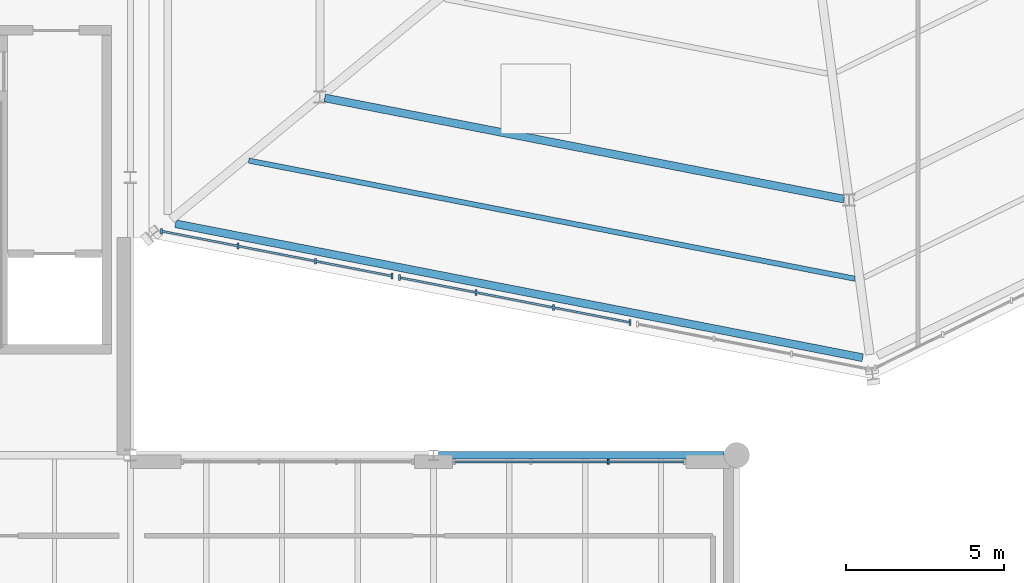
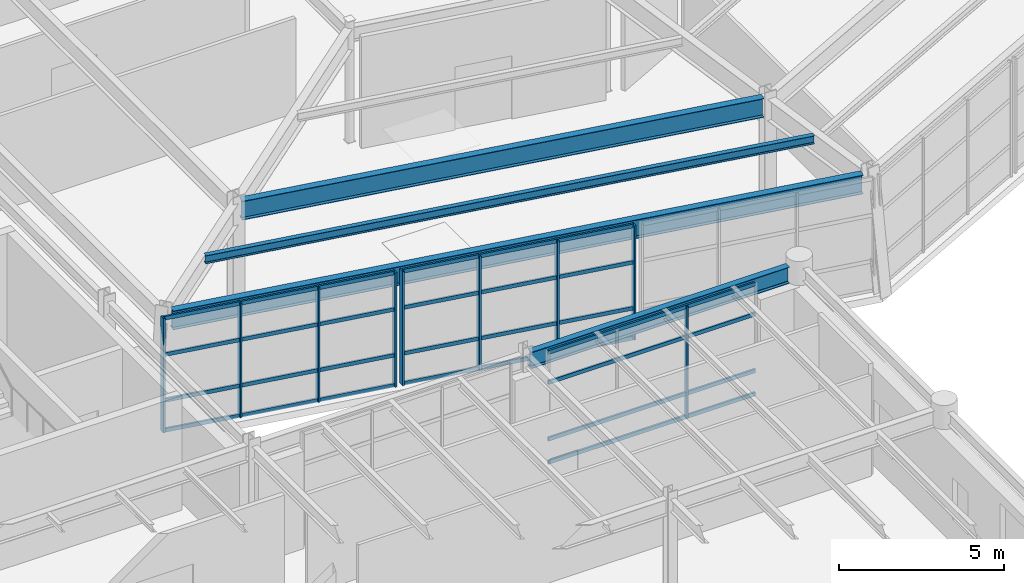
# One storey, part 30 of 88: 21 members, 4 beams, 3 elements without a shape of their own.
"""IFC4 building model written with IfcOpenShell, lengths in metres."""

import ifcopenshell
import ifcopenshell.guid

model = None  # the IFC model being written
_history = None  # IfcOwnerHistory: only IFC2X3 demands one
_inside = {}  # id of a spatial element -> (the spatial element, [elements in it])
_under = {}  # id of a project, library or spatial element -> (it, [spatial elements below it])
_declared = {}  # id of a project -> (the project, [libraries it declares])
_typed = {}  # id of a type object -> (the type object, [elements of that type])
_made_of = {}  # id of a material, layer set ... -> (it, [elements and type objects made of it])


def new_model(schema):
    """Start an empty IFC model of exactly this schema.

    Asked for "IFC4X3", IfcOpenShell would pick the latest addendum, in which some entities
    have other attributes; the version numbers below select the first issue.
    IFC2X3 requires an IfcOwnerHistory on every rooted entity: one is made here for all.
    """
    global model, _history
    if schema == "IFC4X3":
        model = ifcopenshell.file(schema_version=(4, 3, 0, 0))
    else:
        model = ifcopenshell.file(schema=schema)
    _inside.clear()
    _under.clear()
    _declared.clear()
    _typed.clear()
    _made_of.clear()
    _history = None
    if model.schema == "IFC2X3":
        org = make("IfcOrganization", Name="unknown")
        user = make(
            "IfcPersonAndOrganization",
            ThePerson=make("IfcPerson", FamilyName="unknown"),
            TheOrganization=org,
        )
        app = make(
            "IfcApplication",
            ApplicationDeveloper=org,
            Version="unknown",
            ApplicationFullName="unknown",
            ApplicationIdentifier="unknown",
        )
        _history = make(
            "IfcOwnerHistory",
            OwningUser=user,
            OwningApplication=app,
            ChangeAction="ADDED",
            CreationDate=0,
        )
    return model


def make(cls, **values):
    """One entity of the class cls with the attributes given. An attribute that is None is left unset."""
    return model.create_entity(
        cls, **{name: value for name, value in values.items() if value is not None}
    )


def rooted(cls, **values):
    """An entity with a GlobalId (a new one), such as an element, a storey or a relation."""
    return make(cls, GlobalId=ifcopenshell.guid.new(), OwnerHistory=_history, **values)


def si_unit(unit_type, name, prefix=None):
    """IfcSIUnit, for example si_unit("LENGTHUNIT", "METRE", prefix="MILLI")."""
    return make("IfcSIUnit", UnitType=unit_type, Prefix=prefix, Name=name)


def assignment(units):
    """IfcUnitAssignment: the units of a project."""
    return None if units is None else make("IfcUnitAssignment", Units=units)


def point(xyz):
    """IfcCartesianPoint."""
    return None if xyz is None else make("IfcCartesianPoint", Coordinates=xyz)


def direction(xyz):
    """IfcDirection."""
    return None if xyz is None else make("IfcDirection", DirectionRatios=xyz)


def frame(location, z_axis=None, x_axis=None):
    """IfcAxis2Placement3D, a coordinate frame: its origin and axes. An axis left out is left unset."""
    return make(
        "IfcAxis2Placement3D",
        Location=point(location),
        Axis=direction(z_axis),
        RefDirection=direction(x_axis),
    )


def frame_2d(location, x_axis=None):
    """IfcAxis2Placement2D, a coordinate frame in the plane: its origin and x axis."""
    return make(
        "IfcAxis2Placement2D", Location=point(location), RefDirection=direction(x_axis)
    )


def origin():
    """The frame at (0, 0, 0) with its axes left unset."""
    return frame((0.0, 0.0, 0.0))


def origin_2d():
    """The frame at (0, 0) in the plane with its x axis left unset."""
    return frame_2d((0.0, 0.0))


def place(relative_to, where):
    """IfcLocalPlacement: puts the frame where relative to a parent placement (None: the world)."""
    return make(
        "IfcLocalPlacement", PlacementRelTo=relative_to, RelativePlacement=where
    )


def context(
    kind, dimensions, precision=None, world=None, true_north=None, identifier=None
):
    """IfcGeometricRepresentationContext, for example the 3D "Model" context."""
    return make(
        "IfcGeometricRepresentationContext",
        ContextIdentifier=identifier,
        ContextType=kind,
        CoordinateSpaceDimension=dimensions,
        Precision=precision,
        WorldCoordinateSystem=world,
        TrueNorth=true_north,
    )


def subcontext(parent, identifier, kind, view, scale=None):
    """IfcGeometricRepresentationSubContext, for example "Body" below "Model"."""
    return make(
        "IfcGeometricRepresentationSubContext",
        ContextIdentifier=identifier,
        ContextType=kind,
        ParentContext=parent,
        TargetScale=scale,
        TargetView=view,
    )


def project(units=None, contexts=None):
    """IfcProject with its units and contexts."""
    return rooted(
        "IfcProject",
        Name="project",
        RepresentationContexts=contexts,
        UnitsInContext=assignment(units),
    )


def spatial(cls, under=None, at=None, **own):
    """A site, building, storey or space (cls), placed at a placement, below another one or the project."""
    s = rooted(cls, ObjectPlacement=at, **own)
    if under is not None:
        _under.setdefault(under.id(), (under, []))[1].append(s)
    return s


def profile(cls, at=None, kind="AREA", **sizes):
    """A parametric profile (cls). Its sizes go by their IFC names, for example OverallWidth=200.0."""
    return make(cls, ProfileType=kind, Position=at, **sizes)


def rectangle(**sizes):
    """IfcRectangleProfileDef."""
    return profile("IfcRectangleProfileDef", **sizes)


def i_section(**sizes):
    """IfcIShapeProfileDef."""
    return profile("IfcIShapeProfileDef", **sizes)


def extrude(swept, where, along, depth):
    """IfcExtrudedAreaSolid: the profile swept, set in the frame where, extruded along a direction by depth."""
    return make(
        "IfcExtrudedAreaSolid",
        SweptArea=swept,
        Position=where,
        ExtrudedDirection=direction(along),
        Depth=depth,
    )


def shape(context_of_items, identifier, shape_type, items):
    """IfcShapeRepresentation: the items that make up one representation, for example the "Body"."""
    return make(
        "IfcShapeRepresentation",
        ContextOfItems=context_of_items,
        RepresentationIdentifier=identifier,
        RepresentationType=shape_type,
        Items=items,
    )


def material(Name=None, Category=None):
    """IfcMaterial."""
    return make("IfcMaterial", Name=Name, Category=Category)


def material_profile(
    of_material, cross_section, Name=None, Category=None, Priority=None
):
    """IfcMaterialProfile: a cross section and its material."""
    return make(
        "IfcMaterialProfile",
        Name=Name,
        Material=of_material,
        Profile=cross_section,
        Priority=Priority,
        Category=Category,
    )


def profile_set(profiles, Name=None, composite=None):
    """IfcMaterialProfileSet."""
    return make(
        "IfcMaterialProfileSet",
        Name=Name,
        MaterialProfiles=profiles,
        CompositeProfile=composite,
    )


def made_of(thing, what):
    """Note that an element or type object is made of a material, layer set ...; save() writes the relation."""
    if what is not None:
        _made_of.setdefault(what.id(), (what, []))[1].append(thing)
    return thing


def type_object(cls, material=None, **own):
    """A type object (cls), such as IfcWallType, which elements share."""
    return made_of(rooted(cls, **own), material)


def element(
    cls,
    number,
    at=None,
    inside=None,
    cuts=None,
    type_object=None,
    material=None,
    context=None,
    identifier="Body",
    shape_type=None,
    held_by="IfcProductDefinitionShape",
    body=None,
    shapes=None,
    **own,
):
    """One element of the class cls, such as IfcWall. Its Tag is "e" and its number.

    at: its placement. inside: the storey or other place that contains it. cuts: it is an
    opening in that element (IfcRelVoidsElement). A single representation is given by context,
    identifier, shape_type and body (its items); several are given by shapes. held_by: the class
    of the entity that holds the representations. save() writes the other relations.
    """
    e = rooted(cls, Tag="e%d" % number, ObjectPlacement=at, **own)
    if body is not None:
        shapes = [shape(context, identifier, shape_type, body)]
    if shapes is not None:
        e.Representation = make(held_by, Representations=shapes)
    if inside is not None:
        _inside.setdefault(inside.id(), (inside, []))[1].append(e)
    if cuts is not None:
        rooted(
            "IfcRelVoidsElement", RelatingBuildingElement=cuts, RelatedOpeningElement=e
        )
    if type_object is not None:
        _typed.setdefault(type_object.id(), (type_object, []))[1].append(e)
    return made_of(e, material)


def aggregate(whole, parts):
    """IfcRelAggregates: a whole, such as a stair, and the parts it consists of."""
    return rooted("IfcRelAggregates", RelatingObject=whole, RelatedObjects=parts)


def save(model, path):
    """Write the relations noted so far, then the file.

    IfcRelAggregates (storeys below a building ...), IfcRelContainedInSpatialStructure (elements
    in a storey), IfcRelDefinesByType, IfcRelAssociatesMaterial and IfcRelDeclares: one each for
    every whole, place, type object, material and project.
    """
    for whole, parts in _under.values():
        aggregate(whole, parts)
    for where, things in _inside.values():
        rooted(
            "IfcRelContainedInSpatialStructure",
            RelatedElements=things,
            RelatingStructure=where,
        )
    for kind, things in _typed.values():
        rooted("IfcRelDefinesByType", RelatedObjects=things, RelatingType=kind)
    for what, things in _made_of.values():
        rooted("IfcRelAssociatesMaterial", RelatedObjects=things, RelatingMaterial=what)
    for by, libraries in _declared.values():
        rooted("IfcRelDeclares", RelatingContext=by, RelatedDefinitions=libraries)
    model.write(path)


model = new_model("IFC4")

# Units and contexts
model_context = context("Model", 3, precision=1e-05, world=origin(), true_north=direction((0.0, 1.0)))
body_context = subcontext(model_context, "Body", "Model", "MODEL_VIEW")
ifc_project = project(units=[si_unit("LENGTHUNIT", "METRE"), si_unit("AREAUNIT", "SQUARE_METRE"), si_unit("VOLUMEUNIT", "CUBIC_METRE"), si_unit("PLANEANGLEUNIT", "RADIAN"), si_unit("MASSUNIT", "GRAM", prefix="KILO")], contexts=[model_context])

# Site, building, storey
site_placement = place(None, origin())
site = spatial("IfcSite", under=ifc_project, at=site_placement, CompositionType="ELEMENT")
building_placement = place(site_placement, origin())
building = spatial("IfcBuilding", under=site, at=building_placement, Name="Sarnbrook Museum", CompositionType="ELEMENT")
storey_placement = place(building_placement, frame((0.0, 0.0, 10.10009765625)))
storey = spatial("IfcBuildingStorey", under=building, at=storey_placement, Name="L02", CompositionType="ELEMENT", Elevation=10.10009765625)

# Beams
ifc_material_1 = material(Name="Structural Steel Grade 300PLUS (AS/NZS 3679.1, fy = 280 MPa for 17 < t <= 40 mm, 300 MPa for t <= 17 mm)", Category="steel")
ifc_material_profile_1 = material_profile(ifc_material_1, i_section(OverallWidth=0.22802734375, OverallDepth=0.60693359375, WebThickness=0.01123046875, FlangeThickness=0.017333984375, FilletRadius=0.013916015625, at=origin_2d()), Name="610UB113")
ifc_profile_set_1 = profile_set([ifc_material_profile_1], Name="Structural Steel Grade 300PLUS (AS/NZS 3679.1, fy = 280 MPa for 17 < t <= 40 mm, 300 MPa for t <= 17 mm)")
beam_type_1 = type_object("IfcBeamType", Name="BM-UB610", PredefinedType="BEAM", material=ifc_profile_set_1)
beam_1_placement = place(storey_placement, frame((128.95556640625, 56.800048828125, 3.926513671875), z_axis=(1.0, 0.0, 0.0), x_axis=(0.0, 1.0, 0.0)))
element("IfcBeam", 1, at=beam_1_placement, inside=storey, type_object=beam_type_1, Name="Girder G:14-15 L02", PredefinedType="BEAM", context=body_context, shape_type="SweptSolid", body=[
    extrude(i_section(OverallWidth=0.22802734375, OverallDepth=0.60693359375, WebThickness=0.01123046875, FlangeThickness=0.017333984375, FilletRadius=0.013916015625, at=origin_2d()), origin(), (0.0, 0.0, 1.0), 9.04443359375),
])
ifc_material_2 = material(Name="Structural Steel Grade 350L0 (AS/NZS 3678, fy = 340 MPa for 20 < t <= 40 mm)", Category="steel")
ifc_material_profile_2 = material_profile(ifc_material_2, i_section(OverallWidth=0.25, OverallDepth=0.699951171875, WebThickness=0.010009765625, FlangeThickness=0.01611328125, at=origin_2d()), Name="700WB130")
ifc_profile_set_2 = profile_set([ifc_material_profile_2], Name="Structural Steel Grade 350L0 (AS/NZS 3678, fy = 340 MPa for 20 < t <= 40 mm)")
beam_type_2 = type_object("IfcBeamType", Name="BM-WB700", PredefinedType="BEAM", material=ifc_profile_set_2)
beam_2_placement = place(storey_placement, frame((120.63037109375, 64.12841796875, 3.889892578125), z_axis=(0.981527988243, -0.191318604156, 0.0), x_axis=(0.191318604156, 0.981527988243, 0.0)))
element("IfcBeam", 2, at=beam_2_placement, inside=storey, type_object=beam_type_2, Name="Crystal Hall Perimeter Ring Girder 1 L02", PredefinedType="BEAM", context=body_context, shape_type="SweptSolid", body=[
    extrude(i_section(OverallWidth=0.25, OverallDepth=0.699951171875, WebThickness=0.010009765625, FlangeThickness=0.01611328125, at=origin_2d()), origin(), (0.0, 0.0, 1.0), 22.1669921875),
])
beam_3_placement = place(storey_placement, frame((125.35693359375, 68.11279296875, 3.889892578125), z_axis=(0.981528590883, -0.191315512384, 0.0), x_axis=(0.191315512384, 0.981528590883, 0.0)))
element("IfcBeam", 3, at=beam_3_placement, inside=storey, type_object=beam_type_2, Name="Crystal Hall R1 Ring Girder 1 L02", PredefinedType="BEAM", context=body_context, shape_type="SweptSolid", body=[
    extrude(i_section(OverallWidth=0.25, OverallDepth=0.699951171875, WebThickness=0.010009765625, FlangeThickness=0.01611328125, at=origin_2d()), origin(), (0.0, 0.0, 1.0), 16.75146484375),
])

# Curtain wall, member
ifc_material_3 = material(Name="Thermally Broken Anodised Aluminium 6063-T6", Category="aluminium")
curtain_wall_type_1 = type_object("IfcCurtainWallType", Name="CurtainWall_GalleryRibbon", PredefinedType="NOTDEFINED", material=ifc_material_3)
curtain_wall_1_placement = place(storey_placement, origin())
curtain_wall_1 = element("IfcCurtainWall", 4, at=curtain_wall_1_placement, inside=storey, type_object=curtain_wall_type_1, Name="Gallery Ribbon Curtain Wall L02-18.1", PredefinedType="NOTDEFINED")
ifc_material_profile_3 = material_profile(ifc_material_3, rectangle(XDim=0.06005859375, YDim=0.159912109375, at=origin_2d()), Name="ALU MULLION 60x160")
ifc_profile_set_3 = profile_set([ifc_material_profile_3], Name="Thermally Broken Anodised Aluminium 6063-T6")
member_type_1 = type_object("IfcMemberType", Name="CW_Mullion_150x65", PredefinedType="MULLION", material=ifc_profile_set_3)
member_1_placement = place(storey_placement, frame((134.32666015625, 56.590087890625, 0.0), z_axis=(0.0, 0.0, 1.0), x_axis=(1.0, 0.0, 0.0)))
member_1 = element("IfcMember", 5, at=member_1_placement, type_object=member_type_1, Name="Gallery Ribbon Curtain Wall L02-18.1 Mullion 2", PredefinedType="MULLION", context=body_context, shape_type="SweptSolid", body=[
    extrude(rectangle(XDim=0.06005859375, YDim=0.159912109375, at=origin_2d()), origin(), (0.0, 0.0, 1.0), 4.159912109375),
])

# Curtain wall, members
curtain_wall_type_2 = type_object("IfcCurtainWallType", Name="CurtainWall_CrystalFacet", PredefinedType="NOTDEFINED", material=ifc_material_3)
curtain_wall_2_placement = place(storey_placement, origin())
curtain_wall_2 = element("IfcCurtainWall", 6, at=curtain_wall_2_placement, inside=storey, type_object=curtain_wall_type_2, Name="Crystal Hall Facet Curtain Wall L02-F1.1", PredefinedType="NOTDEFINED")
ifc_material_profile_4 = material_profile(ifc_material_3, rectangle(XDim=0.06494140625, YDim=0.179931640625, at=origin_2d()), Name="ALU MULLION 65x180")
ifc_profile_set_4 = profile_set([ifc_material_profile_4], Name="Thermally Broken Anodised Aluminium 6063-T6")
member_type_2 = type_object("IfcMemberType", Name="CW_Mullion_180x75", PredefinedType="MULLION", material=ifc_profile_set_4)
member_2_placement = place(storey_placement, frame((120.189208984375, 63.89501953125, 0.0), z_axis=(0.0, 0.0, 1.0), x_axis=(1.0, 0.0, 0.0)))
member_2 = element("IfcMember", 7, at=member_2_placement, type_object=member_type_2, Name="Crystal Hall Facet Curtain Wall L02-F1.1 Mullion 1", PredefinedType="MULLION", context=body_context, shape_type="SweptSolid", body=[
    extrude(rectangle(XDim=0.06494140625, YDim=0.179931640625, at=origin_2d()), origin(), (0.0, 0.0, 1.0), 4.239990234375),
])
member_3_placement = place(storey_placement, frame((122.609375, 63.42333984375, 0.0), z_axis=(0.0, 0.0, 1.0), x_axis=(1.0, 0.0, 0.0)))
member_3 = element("IfcMember", 8, at=member_3_placement, type_object=member_type_2, Name="Crystal Hall Facet Curtain Wall L02-F1.1 Mullion 2", PredefinedType="MULLION", context=body_context, shape_type="SweptSolid", body=[
    extrude(rectangle(XDim=0.06494140625, YDim=0.179931640625, at=origin_2d()), origin(), (0.0, 0.0, 1.0), 4.239990234375),
])
member_4_placement = place(storey_placement, frame((125.06884765625, 62.94384765625, 0.0), z_axis=(0.0, 0.0, 1.0), x_axis=(1.0, 0.0, 0.0)))
member_4 = element("IfcMember", 9, at=member_4_placement, type_object=member_type_2, Name="Crystal Hall Facet Curtain Wall L02-F1.1 Mullion 3", PredefinedType="MULLION", context=body_context, shape_type="SweptSolid", body=[
    extrude(rectangle(XDim=0.06494140625, YDim=0.179931640625, at=origin_2d()), origin(), (0.0, 0.0, 1.0), 4.239990234375),
])
member_5_placement = place(storey_placement, frame((127.489013671875, 62.47216796875, 0.0), z_axis=(0.0, 0.0, 1.0), x_axis=(1.0, 0.0, 0.0)))
member_5 = element("IfcMember", 10, at=member_5_placement, type_object=member_type_2, Name="Crystal Hall Facet Curtain Wall L02-F1.1 Mullion 4", PredefinedType="MULLION", context=body_context, shape_type="SweptSolid", body=[
    extrude(rectangle(XDim=0.06494140625, YDim=0.179931640625, at=origin_2d()), origin(), (0.0, 0.0, 1.0), 4.239990234375),
])

curtain_wall_3_placement = place(storey_placement, origin())
curtain_wall_3 = element("IfcCurtainWall", 11, at=curtain_wall_3_placement, inside=storey, type_object=curtain_wall_type_2, Name="Crystal Hall Facet Curtain Wall L02-F1.2", PredefinedType="NOTDEFINED")
member_6_placement = place(storey_placement, frame((127.724609375, 62.42626953125, 0.0), z_axis=(0.0, 0.0, 1.0), x_axis=(1.0, 0.0, 0.0)))
member_6 = element("IfcMember", 12, at=member_6_placement, type_object=member_type_2, Name="Crystal Hall Facet Curtain Wall L02-F1.2 Mullion 1", PredefinedType="MULLION", context=body_context, shape_type="SweptSolid", body=[
    extrude(rectangle(XDim=0.06494140625, YDim=0.179931640625, at=origin_2d()), origin(), (0.0, 0.0, 1.0), 4.239990234375),
])
member_7_placement = place(storey_placement, frame((130.144775390625, 61.95458984375, 0.0), z_axis=(0.0, 0.0, 1.0), x_axis=(1.0, 0.0, 0.0)))
member_7 = element("IfcMember", 13, at=member_7_placement, type_object=member_type_2, Name="Crystal Hall Facet Curtain Wall L02-F1.2 Mullion 2", PredefinedType="MULLION", context=body_context, shape_type="SweptSolid", body=[
    extrude(rectangle(XDim=0.06494140625, YDim=0.179931640625, at=origin_2d()), origin(), (0.0, 0.0, 1.0), 4.239990234375),
])
member_8_placement = place(storey_placement, frame((132.604248046875, 61.47509765625, 0.0), z_axis=(0.0, 0.0, 1.0), x_axis=(1.0, 0.0, 0.0)))
member_8 = element("IfcMember", 14, at=member_8_placement, type_object=member_type_2, Name="Crystal Hall Facet Curtain Wall L02-F1.2 Mullion 3", PredefinedType="MULLION", context=body_context, shape_type="SweptSolid", body=[
    extrude(rectangle(XDim=0.06494140625, YDim=0.179931640625, at=origin_2d()), origin(), (0.0, 0.0, 1.0), 4.239990234375),
])
member_9_placement = place(storey_placement, frame((135.0244140625, 61.00341796875, 0.0), z_axis=(0.0, 0.0, 1.0), x_axis=(1.0, 0.0, 0.0)))
member_9 = element("IfcMember", 15, at=member_9_placement, type_object=member_type_2, Name="Crystal Hall Facet Curtain Wall L02-F1.2 Mullion 4", PredefinedType="MULLION", context=body_context, shape_type="SweptSolid", body=[
    extrude(rectangle(XDim=0.06494140625, YDim=0.179931640625, at=origin_2d()), origin(), (0.0, 0.0, 1.0), 4.239990234375),
])

# Member
ifc_material_profile_5 = material_profile(ifc_material_3, rectangle(XDim=0.06494140625, YDim=0.139892578125, at=origin_2d()), Name="ALU TRANSOM 65x140")
ifc_profile_set_5 = profile_set([ifc_material_profile_5], Name="Thermally Broken Anodised Aluminium 6063-T6")
member_type_3 = type_object("IfcMemberType", Name="CW_Transom_150x65", PredefinedType="USERDEFINED", material=ifc_profile_set_5)
member_10_placement = place(storey_placement, frame((120.19921875, 63.89306640625, 0.039794921875), z_axis=(0.981529806849, -0.191309273866, 0.0), x_axis=(0.191309273866, 0.981529806849, 0.0)))
member_10 = element("IfcMember", 16, at=member_10_placement, type_object=member_type_3, Name="Crystal Hall Facet Curtain Wall L02-F1.1 Transom 1", ObjectType="TRANSOM", PredefinedType="USERDEFINED", context=body_context, shape_type="SweptSolid", body=[
    extrude(rectangle(XDim=0.06494140625, YDim=0.139892578125, at=origin_2d()), origin(), (0.0, 0.0, 1.0), 7.4169921875),
])

member_11_placement = place(storey_placement, frame((120.19921875, 63.89306640625, 1.14990234375), z_axis=(0.981529806849, -0.191309273866, 0.0), x_axis=(0.191309273866, 0.981529806849, 0.0)))
member_11 = element("IfcMember", 17, at=member_11_placement, type_object=member_type_3, Name="Crystal Hall Facet Curtain Wall L02-F1.1 Transom 2", ObjectType="TRANSOM", PredefinedType="USERDEFINED", context=body_context, shape_type="SweptSolid", body=[
    extrude(rectangle(XDim=0.06494140625, YDim=0.139892578125, at=origin_2d()), origin(), (0.0, 0.0, 1.0), 7.4169921875),
])

member_12_placement = place(storey_placement, frame((120.19921875, 63.89306640625, 2.849853515625), z_axis=(0.981529806849, -0.191309273866, 0.0), x_axis=(0.191309273866, 0.981529806849, 0.0)))
member_12 = element("IfcMember", 18, at=member_12_placement, type_object=member_type_3, Name="Crystal Hall Facet Curtain Wall L02-F1.1 Transom 3", ObjectType="TRANSOM", PredefinedType="USERDEFINED", context=body_context, shape_type="SweptSolid", body=[
    extrude(rectangle(XDim=0.06494140625, YDim=0.139892578125, at=origin_2d()), origin(), (0.0, 0.0, 1.0), 7.4169921875),
])

member_13_placement = place(storey_placement, frame((120.19921875, 63.89306640625, 4.199951171875), z_axis=(0.981529806849, -0.191309273866, 0.0), x_axis=(0.191309273866, 0.981529806849, 0.0)))
member_13 = element("IfcMember", 19, at=member_13_placement, type_object=member_type_3, Name="Crystal Hall Facet Curtain Wall L02-F1.1 Transom 4", ObjectType="TRANSOM", PredefinedType="USERDEFINED", context=body_context, shape_type="SweptSolid", body=[
    extrude(rectangle(XDim=0.06494140625, YDim=0.139892578125, at=origin_2d()), origin(), (0.0, 0.0, 1.0), 7.4169921875),
])

aggregate(curtain_wall_2, [member_2, member_3, member_4, member_5, member_10, member_11, member_12, member_13])

member_14_placement = place(storey_placement, frame((127.734375, 62.42431640625, 0.039794921875), z_axis=(0.981529806849, -0.191309273866, 0.0), x_axis=(0.191309273866, 0.981529806849, 0.0)))
member_14 = element("IfcMember", 20, at=member_14_placement, type_object=member_type_3, Name="Crystal Hall Facet Curtain Wall L02-F1.2 Transom 1", ObjectType="TRANSOM", PredefinedType="USERDEFINED", context=body_context, shape_type="SweptSolid", body=[
    extrude(rectangle(XDim=0.06494140625, YDim=0.139892578125, at=origin_2d()), origin(), (0.0, 0.0, 1.0), 7.4169921875),
])

member_15_placement = place(storey_placement, frame((127.734375, 62.42431640625, 1.14990234375), z_axis=(0.981529806849, -0.191309273866, 0.0), x_axis=(0.191309273866, 0.981529806849, 0.0)))
member_15 = element("IfcMember", 21, at=member_15_placement, type_object=member_type_3, Name="Crystal Hall Facet Curtain Wall L02-F1.2 Transom 2", ObjectType="TRANSOM", PredefinedType="USERDEFINED", context=body_context, shape_type="SweptSolid", body=[
    extrude(rectangle(XDim=0.06494140625, YDim=0.139892578125, at=origin_2d()), origin(), (0.0, 0.0, 1.0), 7.4169921875),
])

member_16_placement = place(storey_placement, frame((127.734375, 62.42431640625, 2.849853515625), z_axis=(0.981529806849, -0.191309273866, 0.0), x_axis=(0.191309273866, 0.981529806849, 0.0)))
member_16 = element("IfcMember", 22, at=member_16_placement, type_object=member_type_3, Name="Crystal Hall Facet Curtain Wall L02-F1.2 Transom 3", ObjectType="TRANSOM", PredefinedType="USERDEFINED", context=body_context, shape_type="SweptSolid", body=[
    extrude(rectangle(XDim=0.06494140625, YDim=0.139892578125, at=origin_2d()), origin(), (0.0, 0.0, 1.0), 7.4169921875),
])

member_17_placement = place(storey_placement, frame((127.734375, 62.42431640625, 4.199951171875), z_axis=(0.981529806849, -0.191309273866, 0.0), x_axis=(0.191309273866, 0.981529806849, 0.0)))
member_17 = element("IfcMember", 23, at=member_17_placement, type_object=member_type_3, Name="Crystal Hall Facet Curtain Wall L02-F1.2 Transom 4", ObjectType="TRANSOM", PredefinedType="USERDEFINED", context=body_context, shape_type="SweptSolid", body=[
    extrude(rectangle(XDim=0.06494140625, YDim=0.139892578125, at=origin_2d()), origin(), (0.0, 0.0, 1.0), 7.4169921875),
])

aggregate(curtain_wall_3, [member_6, member_7, member_8, member_9, member_14, member_15, member_16, member_17])

member_18_placement = place(storey_placement, frame((136.72998046875, 56.590087890625, 0.039794921875), z_axis=(-1.0, 0.0, 0.0), x_axis=(0.0, -1.0, 0.0)))
member_18 = element("IfcMember", 24, at=member_18_placement, type_object=member_type_3, Name="Gallery Ribbon Curtain Wall L02-18.1 Transom 1", ObjectType="TRANSOM", PredefinedType="USERDEFINED", context=body_context, shape_type="SweptSolid", body=[
    extrude(rectangle(XDim=0.06494140625, YDim=0.139892578125, at=origin_2d()), origin(), (0.0, 0.0, 1.0), 7.260009765625),
])

member_19_placement = place(storey_placement, frame((136.72998046875, 56.590087890625, 0.89990234375), z_axis=(-1.0, 0.0, 0.0), x_axis=(0.0, -1.0, 0.0)))
member_19 = element("IfcMember", 25, at=member_19_placement, type_object=member_type_3, Name="Gallery Ribbon Curtain Wall L02-18.1 Transom 2", ObjectType="TRANSOM", PredefinedType="USERDEFINED", context=body_context, shape_type="SweptSolid", body=[
    extrude(rectangle(XDim=0.06494140625, YDim=0.139892578125, at=origin_2d()), origin(), (0.0, 0.0, 1.0), 7.260009765625),
])

member_20_placement = place(storey_placement, frame((136.72998046875, 56.590087890625, 3.0), z_axis=(-1.0, 0.0, 0.0), x_axis=(0.0, -1.0, 0.0)))
member_20 = element("IfcMember", 26, at=member_20_placement, type_object=member_type_3, Name="Gallery Ribbon Curtain Wall L02-18.1 Transom 3", ObjectType="TRANSOM", PredefinedType="USERDEFINED", context=body_context, shape_type="SweptSolid", body=[
    extrude(rectangle(XDim=0.06494140625, YDim=0.139892578125, at=origin_2d()), origin(), (0.0, 0.0, 1.0), 7.260009765625),
])

member_21_placement = place(storey_placement, frame((136.72998046875, 56.590087890625, 4.119873046875), z_axis=(-1.0, 0.0, 0.0), x_axis=(0.0, -1.0, 0.0)))
member_21 = element("IfcMember", 27, at=member_21_placement, type_object=member_type_3, Name="Gallery Ribbon Curtain Wall L02-18.1 Transom 4", ObjectType="TRANSOM", PredefinedType="USERDEFINED", context=body_context, shape_type="SweptSolid", body=[
    extrude(rectangle(XDim=0.06494140625, YDim=0.139892578125, at=origin_2d()), origin(), (0.0, 0.0, 1.0), 7.260009765625),
])

aggregate(curtain_wall_1, [member_1, member_18, member_19, member_20, member_21])

# Beam
ifc_material_profile_6 = material_profile(ifc_material_1, i_section(OverallWidth=0.1650390625, OverallDepth=0.303955078125, WebThickness=0.006103515625, FlangeThickness=0.01025390625, FilletRadius=0.011474609375, at=origin_2d()), Name="310UB40.4")
ifc_profile_set_6 = profile_set([ifc_material_profile_6], Name="Structural Steel Grade 300PLUS (AS/NZS 3679.1, fy = 280 MPa for 17 < t <= 40 mm, 300 MPa for t <= 17 mm)")
beam_type_3 = type_object("IfcBeamType", Name="JS-UB310", PredefinedType="JOIST", material=ifc_profile_set_6)
beam_4_placement = place(storey_placement, frame((122.949462890625, 66.129150390625, 4.087890625), z_axis=(0.981529561406, -0.191310533128, 0.0), x_axis=(0.191310533128, 0.981529561406, 0.0)))
element("IfcBeam", 28, at=beam_4_placement, inside=storey, type_object=beam_type_3, Name="Crystal Hall Tangential Joist MO-1 L02", PredefinedType="JOIST", context=body_context, shape_type="SweptSolid", body=[
    extrude(i_section(OverallWidth=0.1650390625, OverallDepth=0.303955078125, WebThickness=0.006103515625, FlangeThickness=0.01025390625, FilletRadius=0.011474609375, at=origin_2d()), origin(), (0.0, 0.0, 1.0), 19.54931640625),
])

save(model, "model.ifc")
